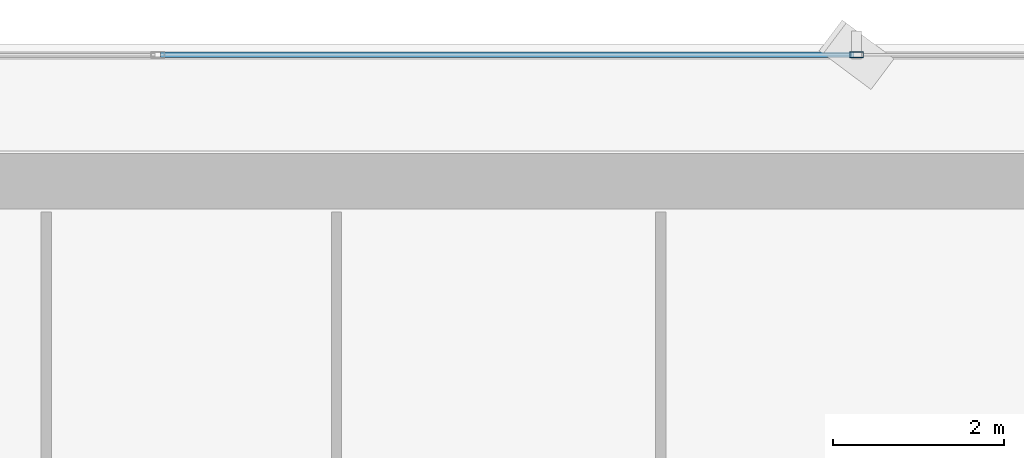
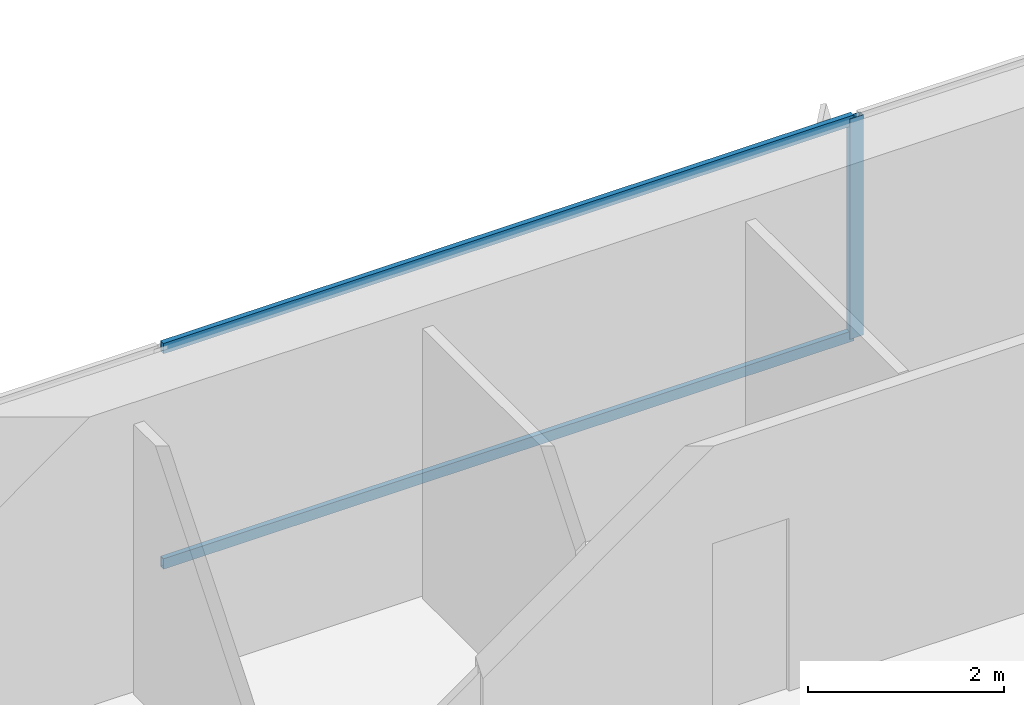
# One storey, part 22 of 37: 3 members, 1 element without a shape of its own.
"""IFC4 building model written with IfcOpenShell, lengths in metres."""

from ifc_helpers import new_model, si_unit, direction, frame, origin, origin_2d, place, context, subcontext, project, spatial, hollow_rectangle, extrude, source, transform, mapped, material, layer, layer_set, material_profile, profile_set, type_object, element, aggregate, save


model = new_model("IFC4")

# Units and contexts
model_context = context("Model", 3, precision=1e-05, world=origin(), true_north=direction((0.0, 1.0)))
body_context = subcontext(model_context, "Body", "Model", "MODEL_VIEW")
ifc_project = project(units=[si_unit("LENGTHUNIT", "METRE"), si_unit("AREAUNIT", "SQUARE_METRE"), si_unit("VOLUMEUNIT", "CUBIC_METRE"), si_unit("PLANEANGLEUNIT", "RADIAN"), si_unit("MASSUNIT", "GRAM", prefix="KILO")], contexts=[model_context])

# Site, building, storey
site_placement = place(None, origin())
site = spatial("IfcSite", under=ifc_project, at=site_placement, CompositionType="ELEMENT")
building_placement = place(site_placement, origin())
building = spatial("IfcBuilding", under=site, at=building_placement, Name="Sumidabori Civic Tower", CompositionType="ELEMENT")
storey_placement = place(building_placement, frame((0.0, 0.0, 117.199951171875)))
storey = spatial("IfcBuildingStorey", under=building, at=storey_placement, Name="L30", CompositionType="ELEMENT", Elevation=117.199951171875)

# Curtain wall, members
ifc_material = material(Name="Anodised Bronze Aluminium AW-6063-T6", Category="aluminium")
ifc_layer = layer(ifc_material, 0.179931640625, Name="Anodised Bronze Aluminium AW-6063-T6")
ifc_layer_set = layer_set([ifc_layer], Name="Anodised Bronze Aluminium AW-6063-T6")
curtain_wall_type = type_object("IfcCurtainWallType", Name="CW-SYS-3", PredefinedType="NOTDEFINED", material=ifc_layer_set)
curtain_wall_placement = place(storey_placement, origin())
curtain_wall = element("IfcCurtainWall", 1, at=curtain_wall_placement, inside=storey, type_object=curtain_wall_type, Name="Curtain Wall CW:L30:R07", PredefinedType="NOTDEFINED")
ifc_material_profile_1 = material_profile(ifc_material, hollow_rectangle(XDim=0.06494140625, YDim=0.159912109375, WallThickness=0.0048828125, at=origin_2d()), Name="ALU MULLION 160x65")
ifc_profile_set_1 = profile_set([ifc_material_profile_1], Name="Anodised Bronze Aluminium AW-6063-T6")
member_type_1 = type_object("IfcMemberType", Name="CW-MUL-160", PredefinedType="MULLION", material=ifc_profile_set_1)
shared_shape_1 = source(origin(), body_context, "Body", "SweptSolid", [
    extrude(hollow_rectangle(XDim=0.06494140625, YDim=0.159912109375, WallThickness=0.0048828125, at=origin_2d()), origin(), (0.0, 0.0, 1.0), 2.739990234375),
])
member_1_placement = place(storey_placement, frame((4.093994140625, 25.280029296875, 0.0), z_axis=(0.0, 0.0, 1.0), x_axis=(0.0, -1.0, 0.0)))
member_1 = element("IfcMember", 2, at=member_1_placement, type_object=member_type_1, Name="CW-3 mullion 3", PredefinedType="MULLION", context=body_context, shape_type="MappedRepresentation", body=[
    mapped(shared_shape_1, transform((0.0, 0.0, 0.0), x_axis=(1.0, 0.0, 0.0), y_axis=(0.0, 1.0, 0.0), z_axis=(0.0, 0.0, 1.0), scale=1.0)),
])
ifc_material_profile_2 = material_profile(ifc_material, hollow_rectangle(XDim=0.06005859375, YDim=0.1298828125, WallThickness=0.0048828125, at=origin_2d()), Name="ALU TRANSOM 130x60")
ifc_profile_set_2 = profile_set([ifc_material_profile_2], Name="Anodised Bronze Aluminium AW-6063-T6")
member_type_2 = type_object("IfcMemberType", Name="CW-TRN-130", PredefinedType="USERDEFINED", material=ifc_profile_set_2)
shared_shape_2 = source(origin(), body_context, "Body", "SweptSolid", [
    extrude(hollow_rectangle(XDim=0.06005859375, YDim=0.1298828125, WallThickness=0.0048828125, at=origin_2d()), origin(), (0.0, 0.0, 1.0), 8.123046875),
])
member_2_placement = place(storey_placement, frame((4.0615234375, 25.280029296875, 0.030029296875), z_axis=(-1.0, 0.0, 0.0), x_axis=(0.0, -1.0, 0.0)))
member_2 = element("IfcMember", 3, at=member_2_placement, type_object=member_type_2, Name="CW-3 transom 3.1", ObjectType="TRANSOM", PredefinedType="USERDEFINED", context=body_context, shape_type="MappedRepresentation", body=[
    mapped(shared_shape_2, transform((0.0, 0.0, 0.0), x_axis=(1.0, 0.0, 0.0), y_axis=(0.0, 1.0, 0.0), z_axis=(0.0, 0.0, 1.0), scale=1.0)),
])
member_3_placement = place(storey_placement, frame((4.0615234375, 25.280029296875, 2.7099609375), z_axis=(-1.0, 0.0, 0.0), x_axis=(0.0, -1.0, 0.0)))
member_3 = element("IfcMember", 4, at=member_3_placement, type_object=member_type_2, Name="CW-3 transom 3.2", ObjectType="TRANSOM", PredefinedType="USERDEFINED", context=body_context, shape_type="MappedRepresentation", body=[
    mapped(shared_shape_2, transform((0.0, 0.0, 0.0), x_axis=(1.0, 0.0, 0.0), y_axis=(0.0, 1.0, 0.0), z_axis=(0.0, 0.0, 1.0), scale=1.0)),
])
aggregate(curtain_wall, [member_1, member_2, member_3])

save(model, "model.ifc")
